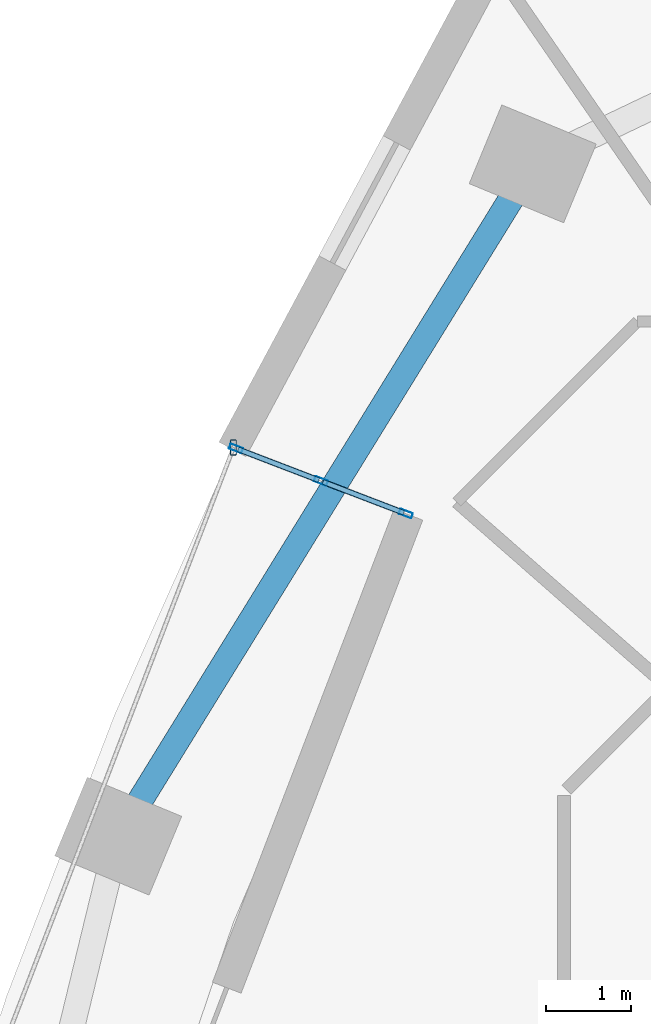
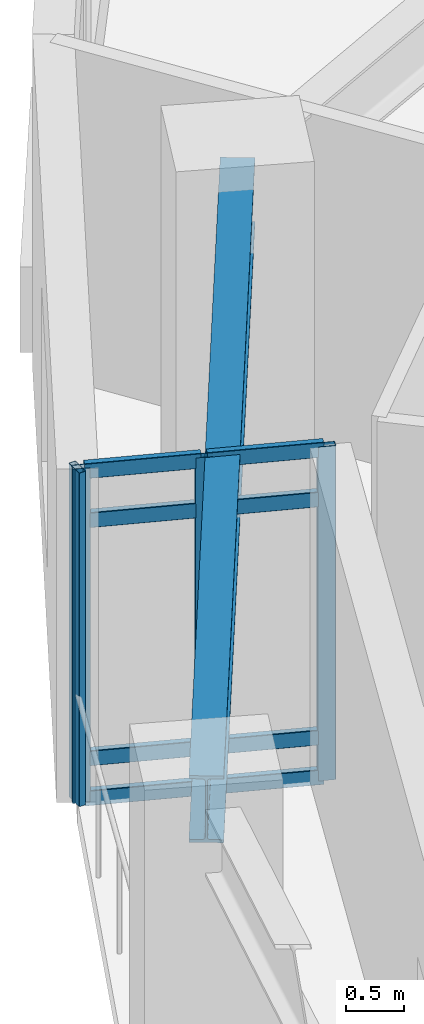
# One storey, part 3 of 12: 12 members, 1 beam, 1 element without a shape of its own.
"""IFC4 building model written with IfcOpenShell, lengths in metres."""

from ifc_helpers import new_model, si_unit, direction, frame, origin, origin_2d, place, context, subcontext, project, spatial, hollow_rectangle, i_section, extrude, material, layer, layer_set, material_profile, profile_set, type_object, element, aggregate, save


model = new_model("IFC4")

# Units and contexts
model_context = context("Model", 3, precision=1e-05, world=origin(), true_north=direction((0.0, 1.0)))
body_context = subcontext(model_context, "Body", "Model", "MODEL_VIEW")
ifc_project = project(units=[si_unit("LENGTHUNIT", "METRE"), si_unit("AREAUNIT", "SQUARE_METRE"), si_unit("VOLUMEUNIT", "CUBIC_METRE"), si_unit("PLANEANGLEUNIT", "RADIAN"), si_unit("MASSUNIT", "GRAM", prefix="KILO")], contexts=[model_context])

# Site, building, storey
site_placement = place(None, origin())
site = spatial("IfcSite", under=ifc_project, at=site_placement, CompositionType="ELEMENT")
building_placement = place(site_placement, origin())
building = spatial("IfcBuilding", under=site, at=building_placement, Name="Ndelora Gate Hotel", CompositionType="ELEMENT")
storey_placement = place(building_placement, frame((0.0, 0.0, 64.25)))
storey = spatial("IfcBuildingStorey", under=building, at=storey_placement, Name="L15", CompositionType="ELEMENT", Elevation=64.25)

# Beam
ifc_material_1 = material(Name="Steel S355", Category="steel")
ifc_material_profile_1 = material_profile(ifc_material_1, i_section(OverallWidth=0.300048828125, OverallDepth=0.699951171875, WebThickness=0.01708984375, FlangeThickness=0.031982421875, FilletRadius=0.027099609375, at=origin_2d()), Name="HEB 700")
ifc_profile_set_1 = profile_set([ifc_material_profile_1], Name="Steel S355")
beam_type = type_object("IfcBeamType", Name="BM-RING-700", PredefinedType="SPANDREL", material=ifc_profile_set_1)
beam_placement = place(storey_placement, frame((-11.1484375, 14.529052734375, 3.14990234375), z_axis=(-0.524897602516, -0.851165381623, 0.0), x_axis=(0.851165381623, -0.524897602516, 0.0)))
element("IfcBeam", 1, at=beam_placement, inside=storey, type_object=beam_type, Name="L15 Perimeter Spandrel Girder 2", PredefinedType="SPANDREL", context=body_context, shape_type="SweptSolid", body=[
    extrude(i_section(OverallWidth=0.300048828125, OverallDepth=0.699951171875, WebThickness=0.01708984375, FlangeThickness=0.031982421875, FilletRadius=0.027099609375, at=origin_2d()), origin(), (0.0, 0.0, 1.0), 9.27490234375),
])

# Curtain wall, members
ifc_material_2 = material(Name="Bronze Anodised Unitised Aluminium and Low-E Glass", Category="aluminium")
ifc_layer = layer(ifc_material_2, 0.199951171875)
ifc_layer_set = layer_set([ifc_layer], Name="Bronze Anodised Unitised Aluminium and Low-E Glass")
curtain_wall_type = type_object("IfcCurtainWallType", Name="CW-SYS-3", PredefinedType="NOTDEFINED", material=ifc_layer_set)
curtain_wall_placement = place(storey_placement, origin())
curtain_wall = element("IfcCurtainWall", 2, at=curtain_wall_placement, inside=storey, type_object=curtain_wall_type, Name="L15 Sky-Garden Loggia Side Curtain Wall CW3-1", PredefinedType="NOTDEFINED")
ifc_material_3 = material(Name="Bronze Anodised Aluminium 6063-T6", Category="aluminium")
ifc_material_profile_2 = material_profile(ifc_material_3, hollow_rectangle(XDim=0.06494140625, YDim=0.159912109375, WallThickness=0.00390625, InnerFilletRadius=0.00390625, OuterFilletRadius=0.008056640625, at=origin_2d()), Name="ALU 160x65x4")
ifc_profile_set_2 = profile_set([ifc_material_profile_2], Name="Bronze Anodised Aluminium 6063-T6")
member_type_1 = type_object("IfcMemberType", Name="MB-CW-MUL150", PredefinedType="MULLION", material=ifc_profile_set_2)
member_1_placement = place(storey_placement, frame((-12.638916015625, 10.421630859375, -0.00390625), z_axis=(0.0, 0.0, 1.0), x_axis=(-0.358360683234, -0.93358321574, 0.0)))
member_1 = element("IfcMember", 3, at=member_1_placement, type_object=member_type_1, Name="CW3 mullion 1", PredefinedType="MULLION", context=body_context, shape_type="SweptSolid", body=[
    extrude(hollow_rectangle(XDim=0.06494140625, YDim=0.159912109375, WallThickness=0.00390625, InnerFilletRadius=0.00390625, OuterFilletRadius=0.008056640625, at=origin_2d()), origin(), (0.0, 0.0, 1.0), 3.5078125),
])
member_2_placement = place(storey_placement, frame((-13.635498046875, 10.80419921875, -0.00390625), z_axis=(0.0, 0.0, 1.0), x_axis=(-0.358360683234, -0.93358321574, 0.0)))
member_2 = element("IfcMember", 4, at=member_2_placement, type_object=member_type_1, Name="CW3 mullion 2", PredefinedType="MULLION", context=body_context, shape_type="SweptSolid", body=[
    extrude(hollow_rectangle(XDim=0.06494140625, YDim=0.159912109375, WallThickness=0.00390625, InnerFilletRadius=0.00390625, OuterFilletRadius=0.008056640625, at=origin_2d()), origin(), (0.0, 0.0, 1.0), 3.5078125),
])
member_3_placement = place(storey_placement, frame((-14.632080078125, 11.186767578125, -0.00390625), z_axis=(0.0, 0.0, 1.0), x_axis=(-0.358360683234, -0.93358321574, 0.0)))
member_3 = element("IfcMember", 5, at=member_3_placement, type_object=member_type_1, Name="CW3 mullion 3", PredefinedType="MULLION", context=body_context, shape_type="SweptSolid", body=[
    extrude(hollow_rectangle(XDim=0.06494140625, YDim=0.159912109375, WallThickness=0.00390625, InnerFilletRadius=0.00390625, OuterFilletRadius=0.008056640625, at=origin_2d()), origin(), (0.0, 0.0, 1.0), 3.5078125),
])
ifc_material_profile_3 = material_profile(ifc_material_3, hollow_rectangle(XDim=0.070068359375, YDim=0.179931640625, WallThickness=0.0048828125, InnerFilletRadius=0.0048828125, OuterFilletRadius=0.010009765625, at=origin_2d()), Name="ALU 180x70x5")
ifc_profile_set_3 = profile_set([ifc_material_profile_3], Name="Bronze Anodised Aluminium 6063-T6")
member_type_2 = type_object("IfcMemberType", Name="MB-CW-MUL180", PredefinedType="MULLION", material=ifc_profile_set_3)
member_4_placement = place(storey_placement, frame((-14.66259765625, 11.198486328125, 0.0), z_axis=(0.0, 0.0, 1.0), x_axis=(1.0, 0.0, 0.0)))
member_4 = element("IfcMember", 6, at=member_4_placement, type_object=member_type_2, Name="L15 Sky-Garden Loggia Corner Mullion Post 1", PredefinedType="MULLION", context=body_context, shape_type="SweptSolid", body=[
    extrude(hollow_rectangle(XDim=0.070068359375, YDim=0.179931640625, WallThickness=0.0048828125, InnerFilletRadius=0.0048828125, OuterFilletRadius=0.010009765625, at=origin_2d()), origin(), (0.0, 0.0, 1.0), 3.5),
])
ifc_material_profile_4 = material_profile(ifc_material_3, hollow_rectangle(XDim=0.06494140625, YDim=0.159912109375, WallThickness=0.00390625, InnerFilletRadius=0.00390625, OuterFilletRadius=0.008056640625, at=origin_2d()), Name="ALU 160x65x4")
ifc_profile_set_4 = profile_set([ifc_material_profile_4], Name="Bronze Anodised Aluminium 6063-T6")
member_type_3 = type_object("IfcMemberType", Name="MB-CW-TRN150", PredefinedType="USERDEFINED", material=ifc_profile_set_4)
member_5_placement = place(storey_placement, frame((-12.66357421875, 10.43115234375, 0.032470703125), z_axis=(-0.933612017007, 0.358285642609, 0.0), x_axis=(-0.358285642609, -0.933612017007, 0.0)))
member_5 = element("IfcMember", 7, at=member_5_placement, type_object=member_type_3, Name="CW3 transom 1.1", ObjectType="TRANSOM", PredefinedType="USERDEFINED", context=body_context, shape_type="SweptSolid", body=[
    extrude(hollow_rectangle(XDim=0.06494140625, YDim=0.159912109375, WallThickness=0.00390625, InnerFilletRadius=0.00390625, OuterFilletRadius=0.008056640625, at=origin_2d()), origin(), (0.0, 0.0, 1.0), 1.0146484375),
])
member_6_placement = place(storey_placement, frame((-12.66357421875, 10.43115234375, 0.449951171875), z_axis=(-0.933612017007, 0.358285642609, 0.0), x_axis=(-0.358285642609, -0.933612017007, 0.0)))
member_6 = element("IfcMember", 8, at=member_6_placement, type_object=member_type_3, Name="CW3 transom 1.2", ObjectType="TRANSOM", PredefinedType="USERDEFINED", context=body_context, shape_type="SweptSolid", body=[
    extrude(hollow_rectangle(XDim=0.06494140625, YDim=0.159912109375, WallThickness=0.00390625, InnerFilletRadius=0.00390625, OuterFilletRadius=0.008056640625, at=origin_2d()), origin(), (0.0, 0.0, 1.0), 1.0146484375),
])
member_7_placement = place(storey_placement, frame((-12.66357421875, 10.43115234375, 2.949951171875), z_axis=(-0.933612017007, 0.358285642609, 0.0), x_axis=(-0.358285642609, -0.933612017007, 0.0)))
member_7 = element("IfcMember", 9, at=member_7_placement, type_object=member_type_3, Name="CW3 transom 1.3", ObjectType="TRANSOM", PredefinedType="USERDEFINED", context=body_context, shape_type="SweptSolid", body=[
    extrude(hollow_rectangle(XDim=0.06494140625, YDim=0.159912109375, WallThickness=0.00390625, InnerFilletRadius=0.00390625, OuterFilletRadius=0.008056640625, at=origin_2d()), origin(), (0.0, 0.0, 1.0), 1.0146484375),
])
member_8_placement = place(storey_placement, frame((-12.66357421875, 10.43115234375, 3.467529296875), z_axis=(-0.933612017007, 0.358285642609, 0.0), x_axis=(-0.358285642609, -0.933612017007, 0.0)))
member_8 = element("IfcMember", 10, at=member_8_placement, type_object=member_type_3, Name="CW3 transom 1.4", ObjectType="TRANSOM", PredefinedType="USERDEFINED", context=body_context, shape_type="SweptSolid", body=[
    extrude(hollow_rectangle(XDim=0.06494140625, YDim=0.159912109375, WallThickness=0.00390625, InnerFilletRadius=0.00390625, OuterFilletRadius=0.008056640625, at=origin_2d()), origin(), (0.0, 0.0, 1.0), 1.0146484375),
])
member_9_placement = place(storey_placement, frame((-13.660400390625, 10.813720703125, 0.032470703125), z_axis=(-0.93358111833, 0.358366147253, 0.0), x_axis=(-0.358366147253, -0.93358111833, 0.0)))
member_9 = element("IfcMember", 11, at=member_9_placement, type_object=member_type_3, Name="CW3 transom 2.1", ObjectType="TRANSOM", PredefinedType="USERDEFINED", context=body_context, shape_type="SweptSolid", body=[
    extrude(hollow_rectangle(XDim=0.06494140625, YDim=0.159912109375, WallThickness=0.00390625, InnerFilletRadius=0.00390625, OuterFilletRadius=0.008056640625, at=origin_2d()), origin(), (0.0, 0.0, 1.0), 1.014404296875),
])
member_10_placement = place(storey_placement, frame((-13.660400390625, 10.813720703125, 0.449951171875), z_axis=(-0.93358111833, 0.358366147253, 0.0), x_axis=(-0.358366147253, -0.93358111833, 0.0)))
member_10 = element("IfcMember", 12, at=member_10_placement, type_object=member_type_3, Name="CW3 transom 2.2", ObjectType="TRANSOM", PredefinedType="USERDEFINED", context=body_context, shape_type="SweptSolid", body=[
    extrude(hollow_rectangle(XDim=0.06494140625, YDim=0.159912109375, WallThickness=0.00390625, InnerFilletRadius=0.00390625, OuterFilletRadius=0.008056640625, at=origin_2d()), origin(), (0.0, 0.0, 1.0), 1.014404296875),
])
member_11_placement = place(storey_placement, frame((-13.660400390625, 10.813720703125, 2.949951171875), z_axis=(-0.93358111833, 0.358366147253, 0.0), x_axis=(-0.358366147253, -0.93358111833, 0.0)))
member_11 = element("IfcMember", 13, at=member_11_placement, type_object=member_type_3, Name="CW3 transom 2.3", ObjectType="TRANSOM", PredefinedType="USERDEFINED", context=body_context, shape_type="SweptSolid", body=[
    extrude(hollow_rectangle(XDim=0.06494140625, YDim=0.159912109375, WallThickness=0.00390625, InnerFilletRadius=0.00390625, OuterFilletRadius=0.008056640625, at=origin_2d()), origin(), (0.0, 0.0, 1.0), 1.014404296875),
])
member_12_placement = place(storey_placement, frame((-13.660400390625, 10.813720703125, 3.467529296875), z_axis=(-0.93358111833, 0.358366147253, 0.0), x_axis=(-0.358366147253, -0.93358111833, 0.0)))
member_12 = element("IfcMember", 14, at=member_12_placement, type_object=member_type_3, Name="CW3 transom 2.4", ObjectType="TRANSOM", PredefinedType="USERDEFINED", context=body_context, shape_type="SweptSolid", body=[
    extrude(hollow_rectangle(XDim=0.06494140625, YDim=0.159912109375, WallThickness=0.00390625, InnerFilletRadius=0.00390625, OuterFilletRadius=0.008056640625, at=origin_2d()), origin(), (0.0, 0.0, 1.0), 1.014404296875),
])
aggregate(curtain_wall, [member_1, member_2, member_3, member_5, member_6, member_7, member_8, member_9, member_10, member_11, member_12, member_4])

save(model, "model.ifc")
